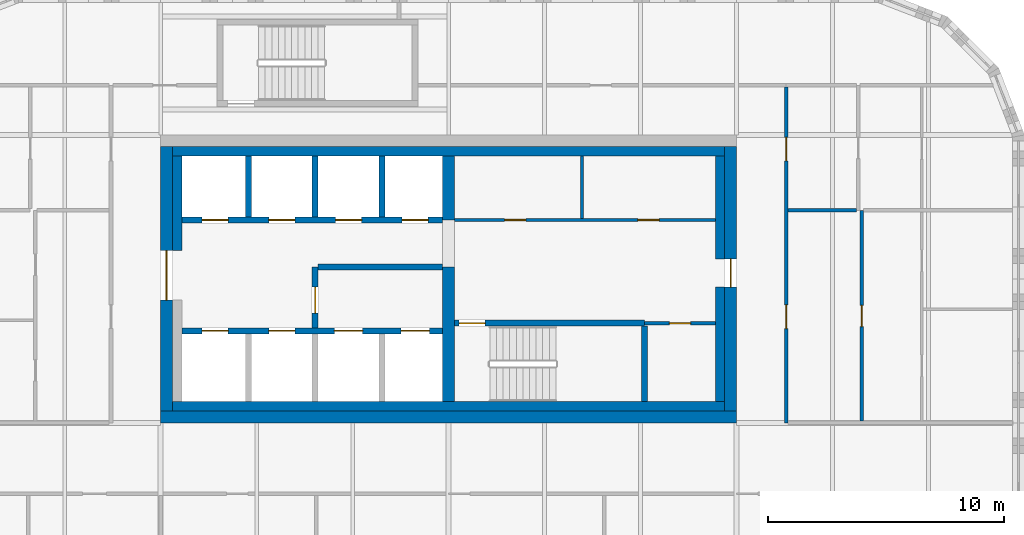
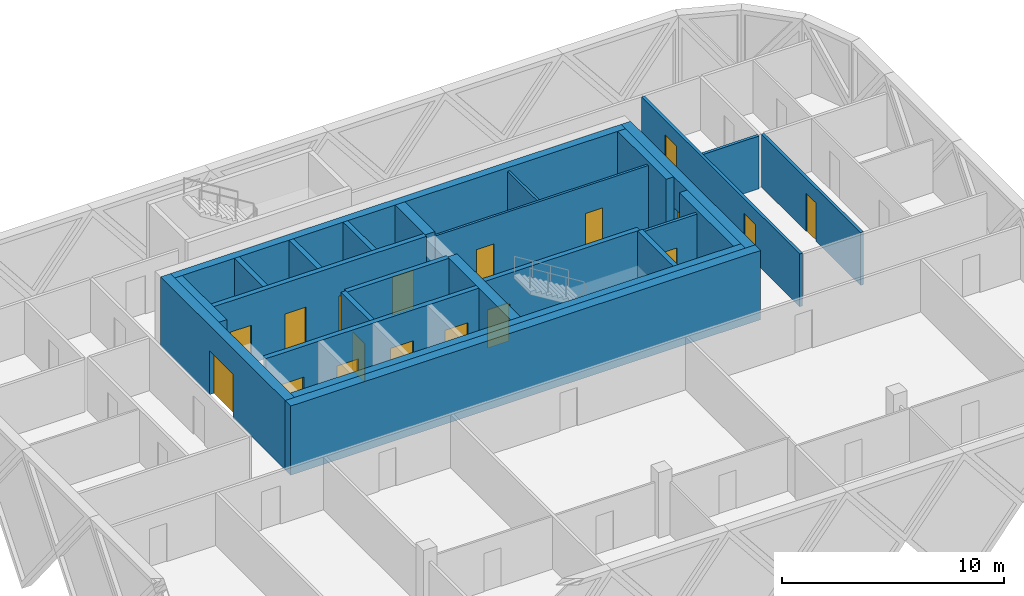
# One storey, part 15 of 21: 25 walls, 18 doors, 18 openings.
"""IFC4 building model written with IfcOpenShell, lengths in metres."""

from ifc_helpers import new_model, si_unit, direction, frame, frame_2d, origin, place, context, subcontext, project, spatial, rectangle, extrude, source, transform, mapped, material, layer, layer_set, type_object, element, fill, save


model = new_model("IFC4")

# Units and contexts
model_context = context("Model", 3, precision=1e-05, world=origin(), true_north=direction((0.0, 1.0)))
body_context = subcontext(model_context, "Body", "Model", "MODEL_VIEW")
ifc_project = project(units=[si_unit("LENGTHUNIT", "METRE"), si_unit("AREAUNIT", "SQUARE_METRE"), si_unit("VOLUMEUNIT", "CUBIC_METRE"), si_unit("PLANEANGLEUNIT", "RADIAN"), si_unit("MASSUNIT", "GRAM", prefix="KILO")], contexts=[model_context])

# Site, building, storey
site_placement = place(None, origin())
site = spatial("IfcSite", under=ifc_project, at=site_placement, CompositionType="ELEMENT")
building_placement = place(site_placement, origin())
building = spatial("IfcBuilding", under=site, at=building_placement, Name="Tessera Gate Towers", CompositionType="ELEMENT")
storey_placement = place(building_placement, frame((0.0, 0.0, 91.39990234375)))
storey = spatial("IfcBuildingStorey", under=building, at=storey_placement, Name="L22", CompositionType="ELEMENT", Elevation=91.39990234375)

# Wall, openings, doors
ifc_material_1 = material(Name="Concrete C40/50", Category="concrete")
ifc_layer_1 = layer(ifc_material_1, 0.25)
ifc_layer_set_1 = layer_set([ifc_layer_1], Name="CORE ENCLOSURE WALL 250")
wall_type_1 = type_object("IfcWallType", Name="CORE ENCLOSURE WALL 250", PredefinedType="SOLIDWALL", material=ifc_layer_set_1)
wall_1_placement = place(storey_placement, frame((98.5, 40.5, 0.0), z_axis=(0.0, 0.0, 1.0), x_axis=(1.0, 0.0, 0.0)))
wall_1 = element("IfcWall", 1, at=wall_1_placement, inside=storey, type_object=wall_type_1, Name="L22 shaft and stair enclosure wall", PredefinedType="SOLIDWALL", context=body_context, shape_type="SweptSolid", body=[
    extrude(rectangle(XDim=11.050048828125, YDim=0.25, at=frame_2d((5.52490234375, 0.0))), origin(), (0.0, 0.0, 1.0), 3.800048828125),
])
shared_shape_1 = source(origin(), body_context, "Body", "SweptSolid", [
    extrude(rectangle(XDim=1.10009765625, YDim=2.10009765625, at=frame_2d((0.550048828125, 1.050048828125))), frame((0.0, 0.135009765625, 0.0), z_axis=(0.0, -1.0, 0.0), x_axis=(1.0, 0.0, 0.0)), (0.0, 0.0, 1.0), 0.27001953125),
])
opening_1_placement = place(wall_1_placement, frame((0.862548828125, 0.0, 0.0)))
opening_1 = element("IfcOpeningElement", 2, at=opening_1_placement, cuts=wall_1, Name="Opening LD-TL1", PredefinedType="OPENING", context=body_context, shape_type="MappedRepresentation", body=[
    mapped(shared_shape_1, transform((0.0, 0.0, 0.0), scale=1.0)),
])
opening_2_placement = place(wall_1_placement, frame((3.6875, 0.0, 0.0)))
opening_2 = element("IfcOpeningElement", 3, at=opening_2_placement, cuts=wall_1, Name="Opening LD-TL2", PredefinedType="OPENING", context=body_context, shape_type="MappedRepresentation", body=[
    mapped(shared_shape_1, transform((0.0, 0.0, 0.0), scale=1.0)),
])
shared_shape_2 = source(origin(), body_context, "Body", "SweptSolid", [
    extrude(rectangle(XDim=1.199951171875, YDim=2.10009765625, at=frame_2d((0.60009765625, 1.050048828125))), frame((0.0, 0.135009765625, 0.0), z_axis=(0.0, -1.0, 0.0), x_axis=(1.0, 0.0, 0.0)), (0.0, 0.0, 1.0), 0.27001953125),
])
opening_3_placement = place(wall_1_placement, frame((6.46240234375, 0.0, 0.0)))
opening_3 = element("IfcOpeningElement", 4, at=opening_3_placement, cuts=wall_1, Name="Opening LD-FF3", PredefinedType="OPENING", context=body_context, shape_type="MappedRepresentation", body=[
    mapped(shared_shape_2, transform((0.0, 0.0, 0.0), scale=1.0)),
])
opening_4_placement = place(wall_1_placement, frame((9.28759765625, 0.0, 0.0)))
opening_4 = element("IfcOpeningElement", 5, at=opening_4_placement, cuts=wall_1, Name="Opening LD-FF4", PredefinedType="OPENING", context=body_context, shape_type="MappedRepresentation", body=[
    mapped(shared_shape_2, transform((0.0, 0.0, 0.0), scale=1.0)),
])
ifc_material_2 = material(Name="Stainless steel", Category="steel")
door_type_1 = type_object("IfcDoorType", Name="CORE DOOR LD1200 1200x2100", OperationType="DOUBLE_DOOR_SLIDING", PredefinedType="DOOR", material=ifc_material_2)
shared_shape_3 = source(origin(), body_context, "Body", "SweptSolid", [
    extrude(rectangle(XDim=1.199951171875, YDim=2.10009765625, at=frame_2d((0.60009765625, 1.050048828125))), frame((0.0, 0.02490234375, 0.0), z_axis=(0.0, -1.0, 0.0), x_axis=(1.0, 0.0, 0.0)), (0.0, 0.0, 1.0), 0.050048828125),
])
door_1_placement = place(opening_3_placement, origin())
door_1 = element("IfcDoor", 6, at=door_1_placement, inside=storey, type_object=door_type_1, Name="Landing door FF3 L22", OperationType="DOUBLE_DOOR_SLIDING", OverallHeight=2.10009765625, OverallWidth=1.199951171875, PredefinedType="DOOR", context=body_context, shape_type="MappedRepresentation", body=[
    mapped(shared_shape_3, transform((0.0, 0.0, 0.0), scale=1.0)),
])
fill(opening_3, door_1)
door_2_placement = place(opening_4_placement, origin())
door_2 = element("IfcDoor", 7, at=door_2_placement, inside=storey, type_object=door_type_1, Name="Landing door FF4 L22", OperationType="DOUBLE_DOOR_SLIDING", OverallHeight=2.10009765625, OverallWidth=1.199951171875, PredefinedType="DOOR", context=body_context, shape_type="MappedRepresentation", body=[
    mapped(shared_shape_3, transform((0.0, 0.0, 0.0), scale=1.0)),
])
fill(opening_4, door_2)
ifc_material_3 = material(Name="Stainless steel", Category="steel")
door_type_2 = type_object("IfcDoorType", Name="CORE DOOR LD 1100x2100", OperationType="DOUBLE_DOOR_SLIDING", PredefinedType="DOOR", material=ifc_material_3)
shared_shape_4 = source(origin(), body_context, "Body", "SweptSolid", [
    extrude(rectangle(XDim=1.10009765625, YDim=2.10009765625, at=frame_2d((0.550048828125, 1.050048828125))), frame((0.0, 0.02490234375, 0.0), z_axis=(0.0, -1.0, 0.0), x_axis=(1.0, 0.0, 0.0)), (0.0, 0.0, 1.0), 0.050048828125),
])
door_3_placement = place(opening_1_placement, origin())
door_3 = element("IfcDoor", 8, at=door_3_placement, inside=storey, type_object=door_type_2, Name="Landing door TL1 L22", OperationType="DOUBLE_DOOR_SLIDING", OverallHeight=2.10009765625, OverallWidth=1.10009765625, PredefinedType="DOOR", context=body_context, shape_type="MappedRepresentation", body=[
    mapped(shared_shape_4, transform((0.0, 0.0, 0.0), scale=1.0)),
])
fill(opening_1, door_3)
door_4_placement = place(opening_2_placement, origin())
door_4 = element("IfcDoor", 9, at=door_4_placement, inside=storey, type_object=door_type_2, Name="Landing door TL2 L22", OperationType="DOUBLE_DOOR_SLIDING", OverallHeight=2.10009765625, OverallWidth=1.10009765625, PredefinedType="DOOR", context=body_context, shape_type="MappedRepresentation", body=[
    mapped(shared_shape_4, transform((0.0, 0.0, 0.0), scale=1.0)),
])
fill(opening_2, door_4)

wall_2_placement = place(storey_placement, frame((109.550048828125, 45.199951171875, 0.0), z_axis=(0.0, 0.0, 1.0), x_axis=(-1.0, 0.0, 0.0)))
wall_2 = element("IfcWall", 10, at=wall_2_placement, inside=storey, type_object=wall_type_1, Name="L22 shaft and stair enclosure wall", PredefinedType="SOLIDWALL", context=body_context, shape_type="SweptSolid", body=[
    extrude(rectangle(XDim=11.050048828125, YDim=0.25, at=frame_2d((5.52490234375, 0.0))), origin(), (0.0, 0.0, 1.0), 3.800048828125),
])
opening_5_placement = place(wall_2_placement, frame((9.08740234375, 0.0, 0.0)))
opening_5 = element("IfcOpeningElement", 11, at=opening_5_placement, cuts=wall_2, Name="Opening LD-TL3", PredefinedType="OPENING", context=body_context, shape_type="MappedRepresentation", body=[
    mapped(shared_shape_1, transform((0.0, 0.0, 0.0), scale=1.0)),
])
opening_6_placement = place(wall_2_placement, frame((6.262451171875, 0.0, 0.0)))
opening_6 = element("IfcOpeningElement", 12, at=opening_6_placement, cuts=wall_2, Name="Opening LD-TL4", PredefinedType="OPENING", context=body_context, shape_type="MappedRepresentation", body=[
    mapped(shared_shape_1, transform((0.0, 0.0, 0.0), scale=1.0)),
])
opening_7_placement = place(wall_2_placement, frame((3.4375, 0.0, 0.0)))
opening_7 = element("IfcOpeningElement", 13, at=opening_7_placement, cuts=wall_2, Name="Opening LD-TL5", PredefinedType="OPENING", context=body_context, shape_type="MappedRepresentation", body=[
    mapped(shared_shape_1, transform((0.0, 0.0, 0.0), scale=1.0)),
])
opening_8_placement = place(wall_2_placement, frame((0.612548828125, 0.0, 0.0)))
opening_8 = element("IfcOpeningElement", 14, at=opening_8_placement, cuts=wall_2, Name="Opening LD-TL6", PredefinedType="OPENING", context=body_context, shape_type="MappedRepresentation", body=[
    mapped(shared_shape_1, transform((0.0, 0.0, 0.0), scale=1.0)),
])
door_5_placement = place(opening_5_placement, origin())
door_5 = element("IfcDoor", 15, at=door_5_placement, inside=storey, type_object=door_type_2, Name="Landing door TL3 L22", OperationType="DOUBLE_DOOR_SLIDING", OverallHeight=2.10009765625, OverallWidth=1.10009765625, PredefinedType="DOOR", context=body_context, shape_type="MappedRepresentation", body=[
    mapped(shared_shape_4, transform((0.0, 0.0, 0.0), scale=1.0)),
])
fill(opening_5, door_5)
door_6_placement = place(opening_6_placement, origin())
door_6 = element("IfcDoor", 16, at=door_6_placement, inside=storey, type_object=door_type_2, Name="Landing door TL4 L22", OperationType="DOUBLE_DOOR_SLIDING", OverallHeight=2.10009765625, OverallWidth=1.10009765625, PredefinedType="DOOR", context=body_context, shape_type="MappedRepresentation", body=[
    mapped(shared_shape_4, transform((0.0, 0.0, 0.0), scale=1.0)),
])
fill(opening_6, door_6)
door_7_placement = place(opening_7_placement, origin())
door_7 = element("IfcDoor", 17, at=door_7_placement, inside=storey, type_object=door_type_2, Name="Landing door TL5 L22", OperationType="DOUBLE_DOOR_SLIDING", OverallHeight=2.10009765625, OverallWidth=1.10009765625, PredefinedType="DOOR", context=body_context, shape_type="MappedRepresentation", body=[
    mapped(shared_shape_4, transform((0.0, 0.0, 0.0), scale=1.0)),
])
fill(opening_7, door_7)
door_8_placement = place(opening_8_placement, origin())
door_8 = element("IfcDoor", 18, at=door_8_placement, inside=storey, type_object=door_type_2, Name="Landing door TL6 L22", OperationType="DOUBLE_DOOR_SLIDING", OverallHeight=2.10009765625, OverallWidth=1.10009765625, PredefinedType="DOOR", context=body_context, shape_type="MappedRepresentation", body=[
    mapped(shared_shape_4, transform((0.0, 0.0, 0.0), scale=1.0)),
])
fill(opening_8, door_8)

# Wall, opening, door
wall_3_placement = place(storey_placement, frame((118.10009765625, 40.824951171875, 0.0), z_axis=(0.0, 0.0, 1.0), x_axis=(-1.0, 0.0, 0.0)))
wall_3 = element("IfcWall", 19, at=wall_3_placement, inside=storey, type_object=wall_type_1, Name="L22 shaft and stair enclosure wall", PredefinedType="SOLIDWALL", context=body_context, shape_type="SweptSolid", body=[
    extrude(rectangle(XDim=8.050048828125, YDim=0.25, at=frame_2d((4.02490234375, 0.0))), origin(), (0.0, 0.0, 1.0), 3.800048828125),
])
opening_9_placement = place(wall_3_placement, frame((6.75, 0.0, 0.0)))
opening_9 = element("IfcOpeningElement", 20, at=opening_9_placement, cuts=wall_3, Name="Opening SD-ST6-1", PredefinedType="OPENING", context=body_context, shape_type="MappedRepresentation", body=[
    mapped(shared_shape_1, transform((0.0, 0.0, 0.0), scale=1.0)),
])
ifc_material_4 = material(Name="Hollow steel fire door", Category="steel")
door_type_3 = type_object("IfcDoorType", Name="CORE DOOR SD1100 1100x2100", OperationType="NOTDEFINED", PredefinedType="DOOR", material=ifc_material_4)
door_9_placement = place(opening_9_placement, origin())
door_9 = element("IfcDoor", 21, at=door_9_placement, inside=storey, type_object=door_type_3, Name="Stair door", OperationType="SINGLE_SWING_RIGHT", OverallHeight=2.10009765625, OverallWidth=1.10009765625, PredefinedType="DOOR", context=body_context, shape_type="MappedRepresentation", body=[
    mapped(shared_shape_4, transform((0.0, 0.0, 0.0), scale=1.0)),
])
fill(opening_9, door_9)

wall_4_placement = place(storey_placement, frame((104.14990234375, 43.199951171875, 0.0), z_axis=(0.0, 0.0, 1.0), x_axis=(0.0, -1.0, 0.0)))
wall_4 = element("IfcWall", 22, at=wall_4_placement, inside=storey, type_object=wall_type_1, Name="L22 shaft and stair enclosure wall", PredefinedType="SOLIDWALL", context=body_context, shape_type="SweptSolid", body=[
    extrude(rectangle(XDim=2.574951171875, YDim=0.25, at=frame_2d((1.28759765625, 0.0))), origin(), (0.0, 0.0, 1.0), 3.800048828125),
])
opening_10_placement = place(wall_4_placement, frame((0.85009765625, 0.0, 0.0)))
opening_10 = element("IfcOpeningElement", 23, at=opening_10_placement, cuts=wall_4, Name="Opening FD-T2-09-03", PredefinedType="OPENING", context=body_context, shape_type="MappedRepresentation", body=[
    mapped(shared_shape_1, transform((0.0, 0.0, 0.0), scale=1.0)),
])
ifc_material_5 = material(Name="Hollow steel fire door", Category="steel")
door_type_4 = type_object("IfcDoorType", Name="CORE DOOR FD 1100x2100", OperationType="NOTDEFINED", PredefinedType="DOOR", material=ifc_material_5)
door_10_placement = place(opening_10_placement, origin())
door_10 = element("IfcDoor", 24, at=door_10_placement, inside=storey, type_object=door_type_4, Name="Fire-fighting lobby door", OperationType="SINGLE_SWING_RIGHT", OverallHeight=2.10009765625, OverallWidth=1.10009765625, PredefinedType="DOOR", context=body_context, shape_type="MappedRepresentation", body=[
    mapped(shared_shape_4, transform((0.0, 0.0, 0.0), scale=1.0)),
])
fill(opening_10, door_10)

# Walls
wall_5_placement = place(storey_placement, frame((104.27490234375, 43.199951171875, 0.0), z_axis=(0.0, 0.0, 1.0), x_axis=(1.0, 0.0, 0.0)))
element("IfcWall", 25, at=wall_5_placement, inside=storey, type_object=wall_type_1, Name="L22 shaft and stair enclosure wall", PredefinedType="SOLIDWALL", context=body_context, shape_type="SweptSolid", body=[
    extrude(rectangle(XDim=5.275146484375, YDim=0.25, at=frame_2d((2.6376953125, 0.0))), origin(), (0.0, 0.0, 1.0), 3.800048828125),
])
wall_6_placement = place(storey_placement, frame((118.10009765625, 37.5, 0.0), z_axis=(0.0, 0.0, 1.0), x_axis=(0.0, 1.0, 0.0)))
element("IfcWall", 26, at=wall_6_placement, inside=storey, type_object=wall_type_1, Name="L22 shaft and stair enclosure wall", PredefinedType="SOLIDWALL", context=body_context, shape_type="SweptSolid", body=[
    extrude(rectangle(XDim=3.199951171875, YDim=0.25, at=frame_2d((1.60009765625, 0.0))), origin(), (0.0, 0.0, 1.0), 3.800048828125),
])
for number, where, z_axis, x_axis, name in (
    (27, (101.324951171875, 45.324951171875, 0.0), (0.0, 0.0, 1.0), (0.0, 1.0, 0.0), "L22 shaft and stair enclosure wall"),
    (28, (104.14990234375, 45.324951171875, 0.0), (0.0, 0.0, 1.0), (0.0, 1.0, 0.0), "L22 shaft and stair enclosure wall"),
    (29, (106.97509765625, 45.324951171875, 0.0), (0.0, 0.0, 1.0), (0.0, 1.0, 0.0), "L22 shaft and stair enclosure wall"),
):
    element("IfcWall", number, at=place(storey_placement, frame(where, z_axis=z_axis, x_axis=x_axis)), inside=storey, type_object=wall_type_1, Name=name, PredefinedType="SOLIDWALL", context=body_context, shape_type="SweptSolid", body=[
        extrude(rectangle(XDim=2.574951171875, YDim=0.25, at=frame_2d((1.28759765625, 0.0))), origin(), (0.0, 0.0, 1.0), 3.800048828125),
    ])

# Wall, openings, doors
ifc_material_6 = material(Name="Gypsum board on steel studs", Category="steel")
ifc_layer_2 = layer(ifc_material_6, 0.1201171875)
ifc_layer_set_2 = layer_set([ifc_layer_2], Name="CORE PARTITION 120")
wall_type_2 = type_object("IfcWallType", Name="CORE PARTITION 120", PredefinedType="PARTITIONING", material=ifc_layer_set_2)
wall_7_placement = place(storey_placement, frame((110.050048828125, 45.199951171875, 0.0), z_axis=(0.0, 0.0, 1.0), x_axis=(1.0, 0.0, 0.0)))
wall_7 = element("IfcWall", 30, at=wall_7_placement, inside=storey, type_object=wall_type_2, Name="L22 core partition", PredefinedType="PARTITIONING", context=body_context, shape_type="SweptSolid", body=[
    extrude(rectangle(XDim=11.050048828125, YDim=0.1201171875, at=frame_2d((5.52490234375, 0.0))), origin(), (0.0, 0.0, 1.0), 3.60009765625),
])
shared_shape_5 = source(origin(), body_context, "Body", "SweptSolid", [
    extrude(rectangle(XDim=0.89990234375, YDim=2.10009765625, at=frame_2d((0.449951171875, 1.050048828125))), frame((0.0, 0.070068359375, 0.0), z_axis=(0.0, -1.0, 0.0), x_axis=(1.0, 0.0, 0.0)), (0.0, 0.0, 1.0), 0.14013671875),
])
opening_11_placement = place(wall_7_placement, frame((2.125, 0.0, 0.0)))
opening_11 = element("IfcOpeningElement", 31, at=opening_11_placement, cuts=wall_7, Name="Opening RD-T2-09-04", PredefinedType="OPENING", context=body_context, shape_type="MappedRepresentation", body=[
    mapped(shared_shape_5, transform((0.0, 0.0, 0.0), scale=1.0)),
])
opening_12_placement = place(wall_7_placement, frame((7.77490234375, 0.0, 0.0)))
opening_12 = element("IfcOpeningElement", 32, at=opening_12_placement, cuts=wall_7, Name="Opening RD-T2-09-05", PredefinedType="OPENING", context=body_context, shape_type="MappedRepresentation", body=[
    mapped(shared_shape_5, transform((0.0, 0.0, 0.0), scale=1.0)),
])
ifc_material_7 = material(Name="Hollow steel fire door", Category="steel")
door_type_5 = type_object("IfcDoorType", Name="CORE DOOR RD 900x2100", OperationType="NOTDEFINED", PredefinedType="DOOR", material=ifc_material_7)
shared_shape_6 = source(origin(), body_context, "Body", "SweptSolid", [
    extrude(rectangle(XDim=0.89990234375, YDim=2.10009765625, at=frame_2d((0.449951171875, 1.050048828125))), frame((0.0, 0.02490234375, 0.0), z_axis=(0.0, -1.0, 0.0), x_axis=(1.0, 0.0, 0.0)), (0.0, 0.0, 1.0), 0.050048828125),
])
door_11_placement = place(opening_11_placement, origin())
door_11 = element("IfcDoor", 33, at=door_11_placement, inside=storey, type_object=door_type_5, Name="Core room door", OperationType="SINGLE_SWING_LEFT", OverallHeight=2.10009765625, OverallWidth=0.89990234375, PredefinedType="DOOR", context=body_context, shape_type="MappedRepresentation", body=[
    mapped(shared_shape_6, transform((0.0, 0.0, 0.0), scale=1.0)),
])
fill(opening_11, door_11)
door_12_placement = place(opening_12_placement, origin())
door_12 = element("IfcDoor", 34, at=door_12_placement, inside=storey, type_object=door_type_5, Name="Core room door", OperationType="SINGLE_SWING_RIGHT", OverallHeight=2.10009765625, OverallWidth=0.89990234375, PredefinedType="DOOR", context=body_context, shape_type="MappedRepresentation", body=[
    mapped(shared_shape_6, transform((0.0, 0.0, 0.0), scale=1.0)),
])
fill(opening_12, door_12)

# Walls
wall_8_placement = place(storey_placement, frame((115.449951171875, 45.260009765625, 0.0), z_axis=(0.0, 0.0, 1.0), x_axis=(0.0, 1.0, 0.0)))
element("IfcWall", 35, at=wall_8_placement, inside=storey, type_object=wall_type_2, Name="L22 core partition", PredefinedType="PARTITIONING", context=body_context, shape_type="SweptSolid", body=[
    extrude(rectangle(XDim=2.639892578125, YDim=0.1201171875, at=frame_2d((1.31982421875, 0.0))), origin(), (0.0, 0.0, 1.0), 3.60009765625),
])
ifc_material_8 = material(Name="Concrete C50/60", Category="concrete")
ifc_layer_3 = layer(ifc_material_8, 0.5)
ifc_layer_set_3 = layer_set([ifc_layer_3], Name="CORE SHEAR WALL 500 C50/60")
wall_type_3 = type_object("IfcWallType", Name="CORE SHEAR WALL 500 C50/60", PredefinedType="SHEAR", material=ifc_layer_set_3)
wall_9_placement = place(storey_placement, frame((122.0, 36.85009765625, 0.0), z_axis=(0.0, 0.0, 1.0), x_axis=(-1.0, 0.0, 0.0)))
element("IfcWall", 36, at=wall_9_placement, inside=storey, type_object=wall_type_3, Name="Core wall S L22", PredefinedType="SHEAR", context=body_context, shape_type="SweptSolid", body=[
    extrude(rectangle(XDim=24.39990234375, YDim=0.5, at=frame_2d((12.199951171875, 0.0))), origin(), (0.0, 0.0, 1.0), 3.800048828125),
])

# Wall, opening, door
wall_10_placement = place(storey_placement, frame((97.85009765625, 37.10009765625, 0.0), z_axis=(0.0, 0.0, 1.0), x_axis=(0.0, 1.0, 0.0)))
wall_10 = element("IfcWall", 37, at=wall_10_placement, inside=storey, type_object=wall_type_3, Name="Core wall W L22", PredefinedType="SHEAR", context=body_context, shape_type="SweptSolid", body=[
    extrude(rectangle(XDim=11.199951171875, YDim=0.5, at=frame_2d((5.60009765625, 0.0))), origin(), (0.0, 0.0, 1.0), 3.800048828125),
])
shared_shape_7 = source(origin(), body_context, "Body", "SweptSolid", [
    extrude(rectangle(XDim=2.10009765625, YDim=2.39990234375, at=frame_2d((1.050048828125, 1.199951171875))), frame((0.0, 0.260009765625, 0.0), z_axis=(0.0, -1.0, 0.0), x_axis=(1.0, 0.0, 0.0)), (0.0, 0.0, 1.0), 0.52001953125),
])
opening_13_placement = place(wall_10_placement, frame((4.699951171875, 0.0, 0.0)))
opening_13 = element("IfcOpeningElement", 38, at=opening_13_placement, cuts=wall_10, Name="Opening DD-T2-09-01", PredefinedType="OPENING", context=body_context, shape_type="MappedRepresentation", body=[
    mapped(shared_shape_7, transform((0.0, 0.0, 0.0), scale=1.0)),
])
ifc_material_9 = material(Name="Hollow steel fire door", Category="steel")
door_type_6 = type_object("IfcDoorType", Name="CORE DOOR DD 2100x2400", OperationType="NOTDEFINED", PredefinedType="DOOR", material=ifc_material_9)
shared_shape_8 = source(origin(), body_context, "Body", "SweptSolid", [
    extrude(rectangle(XDim=2.10009765625, YDim=2.39990234375, at=frame_2d((1.050048828125, 1.199951171875))), frame((0.0, 0.02490234375, 0.0), z_axis=(0.0, -1.0, 0.0), x_axis=(1.0, 0.0, 0.0)), (0.0, 0.0, 1.0), 0.050048828125),
])
door_13_placement = place(opening_13_placement, origin())
door_13 = element("IfcDoor", 39, at=door_13_placement, inside=storey, type_object=door_type_6, Name="Core entrance door", OperationType="DOUBLE_DOOR_SINGLE_SWING", OverallHeight=2.39990234375, OverallWidth=2.10009765625, PredefinedType="DOOR", context=body_context, shape_type="MappedRepresentation", body=[
    mapped(shared_shape_8, transform((0.0, 0.0, 0.0), scale=1.0)),
])
fill(opening_13, door_13)

wall_11_placement = place(storey_placement, frame((121.75, 48.300048828125, 0.0), z_axis=(0.0, 0.0, 1.0), x_axis=(0.0, -1.0, 0.0)))
wall_11 = element("IfcWall", 40, at=wall_11_placement, inside=storey, type_object=wall_type_3, Name="Core wall E L22", PredefinedType="SHEAR", context=body_context, shape_type="SweptSolid", body=[
    extrude(rectangle(XDim=11.199951171875, YDim=0.5, at=frame_2d((5.60009765625, 0.0))), origin(), (0.0, 0.0, 1.0), 3.800048828125),
])
shared_shape_9 = source(origin(), body_context, "Body", "SweptSolid", [
    extrude(rectangle(XDim=1.199951171875, YDim=2.10009765625, at=frame_2d((0.60009765625, 1.050048828125))), frame((0.0, 0.260009765625, 0.0), z_axis=(0.0, -1.0, 0.0), x_axis=(1.0, 0.0, 0.0)), (0.0, 0.0, 1.0), 0.52001953125),
])
opening_14_placement = place(wall_11_placement, frame((4.75, 0.0, 0.0)))
opening_14 = element("IfcOpeningElement", 41, at=opening_14_placement, cuts=wall_11, Name="Opening ED-T2-09-02", PredefinedType="OPENING", context=body_context, shape_type="MappedRepresentation", body=[
    mapped(shared_shape_9, transform((0.0, 0.0, 0.0), scale=1.0)),
])
ifc_material_10 = material(Name="Hollow steel fire door", Category="steel")
door_type_7 = type_object("IfcDoorType", Name="CORE DOOR ED 1200x2100", OperationType="NOTDEFINED", PredefinedType="DOOR", material=ifc_material_10)
door_14_placement = place(opening_14_placement, origin())
door_14 = element("IfcDoor", 42, at=door_14_placement, inside=storey, type_object=door_type_7, Name="Core exit door", OperationType="SINGLE_SWING_LEFT", OverallHeight=2.10009765625, OverallWidth=1.199951171875, PredefinedType="DOOR", context=body_context, shape_type="MappedRepresentation", body=[
    mapped(shared_shape_3, transform((0.0, 0.0, 0.0), scale=1.0)),
])
fill(opening_14, door_14)

# Walls
ifc_material_11 = material(Name="Concrete C50/60", Category="concrete")
ifc_layer_4 = layer(ifc_material_11, 0.5)
ifc_layer_set_4 = layer_set([ifc_layer_4], Name="CORE SPINE WALL 500 C50/60")
wall_type_4 = type_object("IfcWallType", Name="CORE SPINE WALL 500 C50/60", PredefinedType="SHEAR", material=ifc_layer_set_4)
wall_12_placement = place(storey_placement, frame((109.800048828125, 37.5, 0.0), z_axis=(0.0, 0.0, 1.0), x_axis=(0.0, 1.0, 0.0)))
element("IfcWall", 43, at=wall_12_placement, inside=storey, type_object=wall_type_4, Name="Core wall spine L22", PredefinedType="SHEAR", context=body_context, shape_type="SweptSolid", body=[
    extrude(rectangle(XDim=5.699951171875, YDim=0.5, at=frame_2d((2.85009765625, 0.0))), origin(), (0.0, 0.0, 1.0), 3.800048828125),
])
wall_13_placement = place(storey_placement, frame((109.800048828125, 45.199951171875, 0.0), z_axis=(0.0, 0.0, 1.0), x_axis=(0.0, 1.0, 0.0)))
element("IfcWall", 44, at=wall_13_placement, inside=storey, type_object=wall_type_4, Name="Core wall spine L22", PredefinedType="SHEAR", context=body_context, shape_type="SweptSolid", body=[
    extrude(rectangle(XDim=2.699951171875, YDim=0.5, at=frame_2d((1.35009765625, 0.0))), origin(), (0.0, 0.0, 1.0), 3.800048828125),
])
ifc_material_12 = material(Name="Concrete C50/60", Category="concrete")
ifc_layer_5 = layer(ifc_material_12, 0.39990234375)
ifc_layer_set_5 = layer_set([ifc_layer_5], Name="CORE WALL THICKENING 400")
wall_type_5 = type_object("IfcWallType", Name="CORE WALL THICKENING 400", PredefinedType="SOLIDWALL", material=ifc_layer_set_5)
for number, where, z_axis, x_axis, name in (
    (45, (98.10009765625, 37.300048828125, 0.0), (0.0, 0.0, 1.0), (1.0, 0.0, 0.0), "Core wall thickening S L22"),
    (46, (98.10009765625, 48.10009765625, 0.0), (0.0, 0.0, 1.0), (1.0, 0.0, 0.0), "Core wall thickening N L22"),
):
    element("IfcWall", number, at=place(storey_placement, frame(where, z_axis=z_axis, x_axis=x_axis)), inside=storey, type_object=wall_type_5, Name=name, PredefinedType="SOLIDWALL", context=body_context, shape_type="SweptSolid", body=[
        extrude(rectangle(XDim=23.39990234375, YDim=0.39990234375, at=frame_2d((11.699951171875, 0.0))), origin(), (0.0, 0.0, 1.0), 3.800048828125),
    ])
wall_14_placement = place(storey_placement, frame((98.300048828125, 43.89990234375, 0.0), z_axis=(0.0, 0.0, 1.0), x_axis=(0.0, 1.0, 0.0)))
element("IfcWall", 47, at=wall_14_placement, inside=storey, type_object=wall_type_5, Name="Core wall thickening W L22", PredefinedType="SOLIDWALL", context=body_context, shape_type="SweptSolid", body=[
    extrude(rectangle(XDim=4.0, YDim=0.39990234375, at=frame_2d((2.0, 0.0))), origin(), (0.0, 0.0, 1.0), 3.800048828125),
])
wall_15_placement = place(storey_placement, frame((121.300048828125, 37.5, 0.0), z_axis=(0.0, 0.0, 1.0), x_axis=(0.0, 1.0, 0.0)))
element("IfcWall", 48, at=wall_15_placement, inside=storey, type_object=wall_type_5, Name="Core wall thickening E L22", PredefinedType="SOLIDWALL", context=body_context, shape_type="SweptSolid", body=[
    extrude(rectangle(XDim=4.85009765625, YDim=0.39990234375, at=frame_2d((2.425048828125, 0.0))), origin(), (0.0, 0.0, 1.0), 3.800048828125),
])
wall_16_placement = place(storey_placement, frame((121.300048828125, 43.550048828125, 0.0), z_axis=(0.0, 0.0, 1.0), x_axis=(0.0, 1.0, 0.0)))
element("IfcWall", 49, at=wall_16_placement, inside=storey, type_object=wall_type_5, Name="Core wall thickening E L22", PredefinedType="SOLIDWALL", context=body_context, shape_type="SweptSolid", body=[
    extrude(rectangle(XDim=4.349853515625, YDim=0.39990234375, at=frame_2d((2.1748046875, 0.0))), origin(), (0.0, 0.0, 1.0), 3.800048828125),
])

# Wall, openings, doors
ifc_material_13 = material(Name="Gypsum board on steel studs, mineral wool", Category="steel")
ifc_layer_6 = layer(ifc_material_13, 0.14990234375)
ifc_layer_set_6 = layer_set([ifc_layer_6], Name="CORRIDOR WALL 150")
wall_type_6 = type_object("IfcWallType", Name="CORRIDOR WALL 150", PredefinedType="PARTITIONING", material=ifc_layer_set_6)
wall_17_placement = place(storey_placement, frame((124.10009765625, 50.823974609375, 0.0), z_axis=(0.0, 0.0, 1.0), x_axis=(0.0, -1.0, 0.0)))
wall_17 = element("IfcWall", 50, at=wall_17_placement, inside=storey, type_object=wall_type_6, Name="T2-L22-PW-024", PredefinedType="PARTITIONING", context=body_context, shape_type="SweptSolid", body=[
    extrude(rectangle(XDim=14.223876953125, YDim=0.14990234375, at=frame_2d((7.11181640625, 0.0))), origin(), (0.0, 0.0, 1.0), 2.89501953125),
])
shared_shape_10 = source(origin(), body_context, "Body", "SweptSolid", [
    extrude(rectangle(XDim=1.0, YDim=2.10009765625, at=frame_2d((0.5, 1.050048828125))), frame((0.0, 0.0849609375, 0.0), z_axis=(0.0, -1.0, 0.0), x_axis=(1.0, 0.0, 0.0)), (0.0, 0.0, 1.0), 0.169921875),
])
opening_15_placement = place(wall_17_placement, frame((2.123046875, 0.0, 0.0)))
opening_15 = element("IfcOpeningElement", 51, at=opening_15_placement, cuts=wall_17, Name="Opening D2100FD60-B09-02", PredefinedType="OPENING", context=body_context, shape_type="MappedRepresentation", body=[
    mapped(shared_shape_10, transform((0.0, 0.0, 0.0), scale=1.0)),
])
opening_16_placement = place(wall_17_placement, frame((9.22412109375, 0.0, 0.0)))
opening_16 = element("IfcOpeningElement", 52, at=opening_16_placement, cuts=wall_17, Name="Opening D2100FD60-B09-06", PredefinedType="OPENING", context=body_context, shape_type="MappedRepresentation", body=[
    mapped(shared_shape_10, transform((0.0, 0.0, 0.0), scale=1.0)),
])
ifc_material_14 = material(Name="Timber door leaf in steel frame", Category="steel")
door_type_8 = type_object("IfcDoorType", Name="TENANCY ENTRANCE DOOR 1000 FD60", OperationType="NOTDEFINED", PredefinedType="DOOR", material=ifc_material_14)
shared_shape_11 = source(origin(), body_context, "Body", "SweptSolid", [
    extrude(rectangle(XDim=1.0, YDim=2.10009765625, at=frame_2d((0.5, 1.050048828125))), frame((0.0, 0.02490234375, 0.0), z_axis=(0.0, -1.0, 0.0), x_axis=(1.0, 0.0, 0.0)), (0.0, 0.0, 1.0), 0.050048828125),
])
door_15_placement = place(opening_15_placement, origin())
door_15 = element("IfcDoor", 53, at=door_15_placement, inside=storey, type_object=door_type_8, Name="T2-L22-PD-011", OperationType="SINGLE_SWING_RIGHT", OverallHeight=2.10009765625, OverallWidth=1.0, PredefinedType="DOOR", context=body_context, shape_type="MappedRepresentation", body=[
    mapped(shared_shape_11, transform((0.0, 0.0, 0.0), scale=1.0)),
])
fill(opening_15, door_15)
door_16_placement = place(opening_16_placement, origin())
door_16 = element("IfcDoor", 54, at=door_16_placement, inside=storey, type_object=door_type_8, Name="T2-L22-PD-024", OperationType="SINGLE_SWING_RIGHT", OverallHeight=2.10009765625, OverallWidth=1.0, PredefinedType="DOOR", context=body_context, shape_type="MappedRepresentation", body=[
    mapped(shared_shape_11, transform((0.0, 0.0, 0.0), scale=1.0)),
])
fill(opening_16, door_16)

# Wall, opening, door
ifc_material_15 = material(Name="Gypsum board on steel studs", Category="steel")
ifc_layer_7 = layer(ifc_material_15, 0.14990234375)
ifc_layer_set_7 = layer_set([ifc_layer_7], Name="SERVICE ROOM WALL 150")
wall_type_7 = type_object("IfcWallType", Name="SERVICE ROOM WALL 150", PredefinedType="PARTITIONING", material=ifc_layer_set_7)
wall_18_placement = place(storey_placement, frame((121.10009765625, 40.824951171875, 0.0), z_axis=(0.0, 0.0, 1.0), x_axis=(-1.0, 0.0, 0.0)))
wall_18 = element("IfcWall", 55, at=wall_18_placement, inside=storey, type_object=wall_type_7, Name="L22 service room wall", PredefinedType="PARTITIONING", context=body_context, shape_type="SweptSolid", body=[
    extrude(rectangle(XDim=3.0, YDim=0.14990234375, at=frame_2d((1.5, 0.0))), origin(), (0.0, 0.0, 1.0), 3.60009765625),
])
shared_shape_12 = source(origin(), body_context, "Body", "SweptSolid", [
    extrude(rectangle(XDim=0.89990234375, YDim=2.10009765625, at=frame_2d((0.449951171875, 1.050048828125))), frame((0.0, 0.0849609375, 0.0), z_axis=(0.0, -1.0, 0.0), x_axis=(1.0, 0.0, 0.0)), (0.0, 0.0, 1.0), 0.169921875),
])
opening_17_placement = place(wall_18_placement, frame((1.050048828125, 0.0, 0.0)))
opening_17 = element("IfcOpeningElement", 56, at=opening_17_placement, cuts=wall_18, Name="Opening RD-T2-09-06", PredefinedType="OPENING", context=body_context, shape_type="MappedRepresentation", body=[
    mapped(shared_shape_12, transform((0.0, 0.0, 0.0), scale=1.0)),
])
door_17_placement = place(opening_17_placement, origin())
door_17 = element("IfcDoor", 57, at=door_17_placement, inside=storey, type_object=door_type_5, Name="Core room door", OperationType="SINGLE_SWING_RIGHT", OverallHeight=2.10009765625, OverallWidth=0.89990234375, PredefinedType="DOOR", context=body_context, shape_type="MappedRepresentation", body=[
    mapped(shared_shape_6, transform((0.0, 0.0, 0.0), scale=1.0)),
])
fill(opening_17, door_17)

ifc_material_16 = material(Name="Gypsum board on steel studs, mineral wool", Category="steel")
ifc_layer_8 = layer(ifc_material_16, 0.14990234375)
ifc_layer_set_8 = layer_set([ifc_layer_8], Name="TENANCY WALL 150")
wall_type_8 = type_object("IfcWallType", Name="TENANCY WALL 150", PredefinedType="PARTITIONING", material=ifc_layer_set_8)
wall_19_placement = place(storey_placement, frame((127.300048828125, 45.60009765625, 0.0), z_axis=(0.0, 0.0, 1.0), x_axis=(0.0, -1.0, 0.0)))
wall_19 = element("IfcWall", 58, at=wall_19_placement, inside=storey, type_object=wall_type_8, Name="T2-L22-PW-027", PredefinedType="PARTITIONING", context=body_context, shape_type="SweptSolid", body=[
    extrude(rectangle(XDim=8.924072265625, YDim=0.14990234375, at=frame_2d((4.4619140625, 0.0))), origin(), (0.0, 0.0, 1.0), 2.89501953125),
])
opening_18_placement = place(wall_19_placement, frame((4.02392578125, 0.0, 0.0)))
opening_18 = element("IfcOpeningElement", 59, at=opening_18_placement, cuts=wall_19, Name="Opening D190-B09-10", PredefinedType="OPENING", context=body_context, shape_type="MappedRepresentation", body=[
    mapped(shared_shape_12, transform((0.0, 0.0, 0.0), scale=1.0)),
])
ifc_material_17 = material(Name="Timber door leaf in steel frame", Category="steel")
door_type_9 = type_object("IfcDoorType", Name="INTERNAL DOOR 900 NOT RATED", OperationType="NOTDEFINED", PredefinedType="DOOR", material=ifc_material_17)
door_18_placement = place(opening_18_placement, origin())
door_18 = element("IfcDoor", 60, at=door_18_placement, inside=storey, type_object=door_type_9, Name="T2-L22-PD-022", OperationType="SINGLE_SWING_RIGHT", OverallHeight=2.10009765625, OverallWidth=0.89990234375, PredefinedType="DOOR", context=body_context, shape_type="MappedRepresentation", body=[
    mapped(shared_shape_6, transform((0.0, 0.0, 0.0), scale=1.0)),
])
fill(opening_18, door_18)

# Wall
wall_20_placement = place(storey_placement, frame((124.176025390625, 45.60009765625, 0.0), z_axis=(0.0, 0.0, 1.0), x_axis=(1.0, 0.0, 0.0)))
element("IfcWall", 61, at=wall_20_placement, inside=storey, type_object=wall_type_8, Name="T2-L22-PW-033", PredefinedType="PARTITIONING", context=body_context, shape_type="SweptSolid", body=[
    extrude(rectangle(XDim=2.89794921875, YDim=0.14990234375, at=frame_2d((1.448974609375, 0.0))), origin(), (0.0, 0.0, 1.0), 2.89501953125),
])

save(model, "model.ifc")
